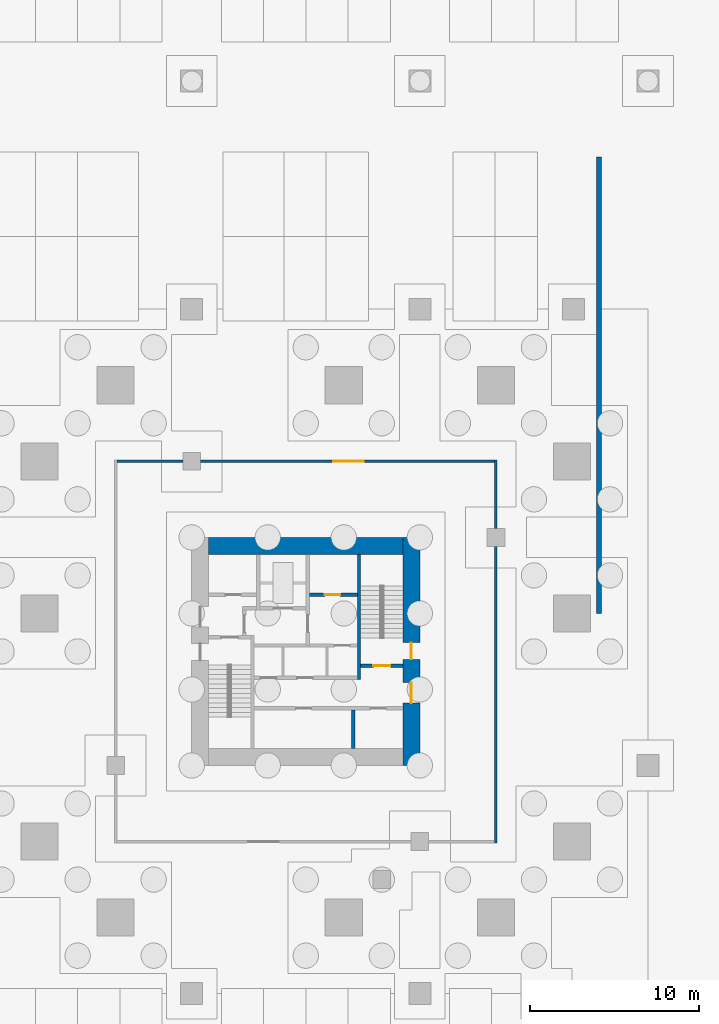
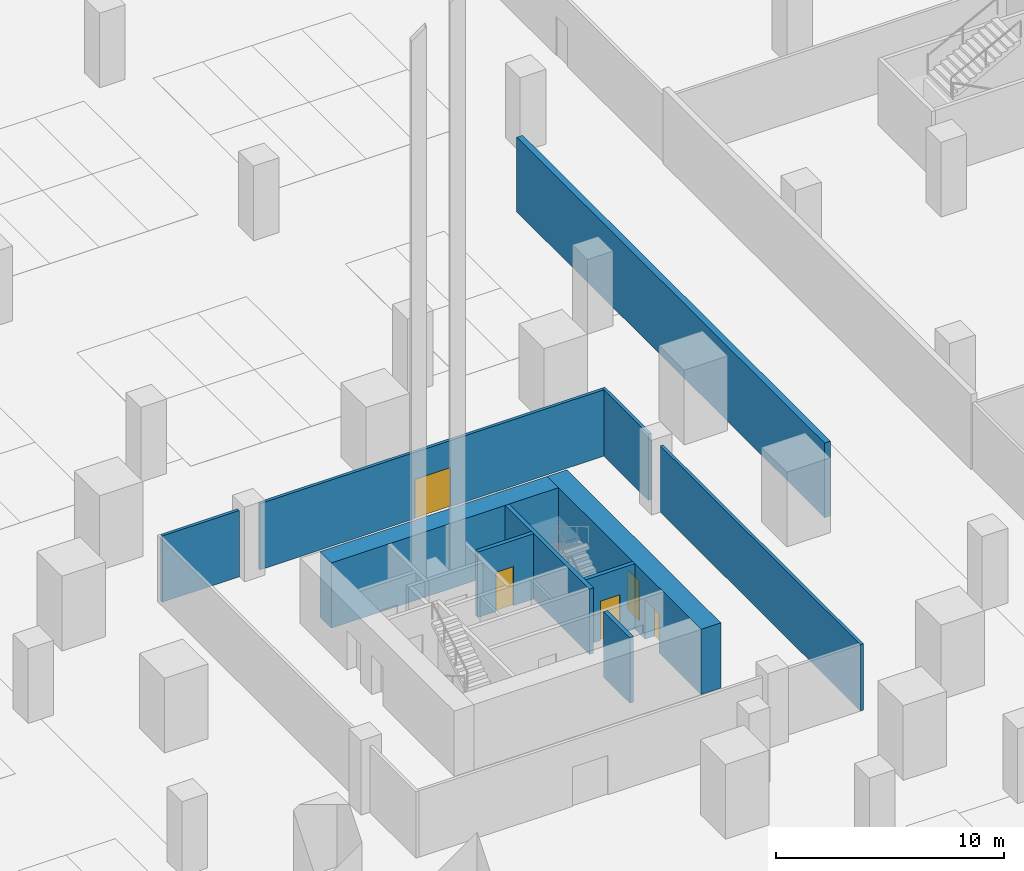
# One storey, part 10 of 40: 11 walls, 5 doors, 5 openings.
"""IFC4 building model written with IfcOpenShell, lengths in metres."""

from ifc_helpers import new_model, si_unit, direction, frame, frame_2d, origin, place, context, subcontext, project, spatial, rectangle, extrude, material, layer, layer_set, type_object, element, fill, save


model = new_model("IFC4")

# Units and contexts
model_context = context("Model", 3, precision=1e-05, world=origin(), true_north=direction((0.0, 1.0)))
body_context = subcontext(model_context, "Body", "Model", "MODEL_VIEW")
ifc_project = project(units=[si_unit("LENGTHUNIT", "METRE"), si_unit("AREAUNIT", "SQUARE_METRE"), si_unit("VOLUMEUNIT", "CUBIC_METRE"), si_unit("PLANEANGLEUNIT", "RADIAN"), si_unit("MASSUNIT", "GRAM", prefix="KILO")], contexts=[model_context])

# Site, building, storey
site_placement = place(None, origin())
site = spatial("IfcSite", under=ifc_project, at=site_placement, CompositionType="ELEMENT")
building_placement = place(site_placement, origin())
building = spatial("IfcBuilding", under=site, at=building_placement, Name="Altepetl Exchange Towers", CompositionType="ELEMENT")
storey_placement = place(building_placement, frame((0.0, 0.0, -8.0)))
storey = spatial("IfcBuildingStorey", under=building, at=storey_placement, Name="B2 Basement parking", CompositionType="ELEMENT", Elevation=-8.0)

# Wall, openings, doors
ifc_material_1 = material(Name="Concrete C70/85", Category="concrete")
ifc_layer_1 = layer(ifc_material_1, 1.0)
ifc_layer_set_1 = layer_set([ifc_layer_1], Name="Concrete C70/85")
wall_type_1 = type_object("IfcWallType", Name="Core wall 1000 reinforced concrete", PredefinedType="SHEAR", material=ifc_layer_set_1)
wall_1_placement = place(storey_placement, frame((116.5, 36.0, 0.0), z_axis=(0.0, 0.0, 1.0), x_axis=(0.0, 1.0, 0.0)))
wall_1 = element("IfcWall", 1, at=wall_1_placement, inside=storey, type_object=wall_type_1, Name="wall:B:B2:K-coreE", PredefinedType="SHEAR", context=body_context, shape_type="SweptSolid", body=[
    extrude(rectangle(XDim=13.5, YDim=1.0, at=frame_2d((6.75, 0.0))), origin(), (0.0, 0.0, 1.0), 3.5),
])
opening_1_placement = place(wall_1_placement, frame((3.699951171875, 0.0, 0.0)))
opening_1 = element("IfcOpeningElement", 2, at=opening_1_placement, cuts=wall_1, Name="Opening B2.B61", PredefinedType="OPENING", context=body_context, shape_type="SweptSolid", body=[
    extrude(rectangle(XDim=1.199951171875, YDim=2.10009765625, at=frame_2d((0.60009765625, 1.050048828125))), frame((0.0, 0.510009765625, 0.0), z_axis=(0.0, -1.0, 0.0), x_axis=(1.0, 0.0, 0.0)), (0.0, 0.0, 1.0), 1.02001953125),
])
opening_2_placement = place(wall_1_placement, frame((6.27490234375, 0.0, 0.0)))
opening_2 = element("IfcOpeningElement", 3, at=opening_2_placement, cuts=wall_1, Name="Opening B2.B65", PredefinedType="OPENING", context=body_context, shape_type="SweptSolid", body=[
    extrude(rectangle(XDim=1.0, YDim=2.10009765625, at=frame_2d((0.5, 1.050048828125))), frame((0.0, 0.510009765625, 0.0), z_axis=(0.0, -1.0, 0.0), x_axis=(1.0, 0.0, 0.0)), (0.0, 0.0, 1.0), 1.02001953125),
])
ifc_material_2 = material(Name="Steel and timber fire door", Category="steel")
door_type_1 = type_object("IfcDoorType", Name="Fire door 1000 x 2100 stair and lobby", OperationType="SINGLE_SWING_LEFT", PredefinedType="DOOR", material=ifc_material_2)
door_1_placement = place(opening_2_placement, origin())
door_1 = element("IfcDoor", 4, at=door_1_placement, inside=storey, type_object=door_type_1, Name="door:B:B2:K-dS2x", OperationType="SINGLE_SWING_LEFT", OverallHeight=2.10009765625, OverallWidth=1.0, PredefinedType="DOOR", context=body_context, shape_type="SweptSolid", body=[
    extrude(rectangle(XDim=1.0, YDim=2.10009765625, at=frame_2d((0.5, 1.050048828125))), frame((0.0, 0.02490234375, 0.0), z_axis=(0.0, -1.0, 0.0), x_axis=(1.0, 0.0, 0.0)), (0.0, 0.0, 1.0), 0.050048828125),
])
fill(opening_2, door_1)
door_type_2 = type_object("IfcDoorType", Name="Fire door 1200 x 2100 lobby entry", OperationType="SINGLE_SWING_LEFT", PredefinedType="DOOR", material=ifc_material_2)
door_2_placement = place(opening_1_placement, origin())
door_2 = element("IfcDoor", 5, at=door_2_placement, inside=storey, type_object=door_type_2, Name="door:B:B2:K-dLSE", OperationType="SINGLE_SWING_RIGHT", OverallHeight=2.10009765625, OverallWidth=1.199951171875, PredefinedType="DOOR", context=body_context, shape_type="SweptSolid", body=[
    extrude(rectangle(XDim=1.199951171875, YDim=2.10009765625, at=frame_2d((0.60009765625, 1.050048828125))), frame((0.0, 0.02490234375, 0.0), z_axis=(0.0, -1.0, 0.0), x_axis=(1.0, 0.0, 0.0)), (0.0, 0.0, 1.0), 0.050048828125),
])
fill(opening_1, door_2)

# Walls
wall_2_placement = place(storey_placement, frame((104.5, 49.0, 0.0)))
element("IfcWall", 6, at=wall_2_placement, inside=storey, type_object=wall_type_1, Name="wall:B:B2:K-coreN", PredefinedType="SHEAR", context=body_context, shape_type="SweptSolid", body=[
    extrude(rectangle(XDim=11.5, YDim=1.0, at=frame_2d((5.75, 0.0))), origin(), (0.0, 0.0, 1.0), 3.5),
])
ifc_material_3 = material(Name="Gypsum board on steel studs", Category="steel")
ifc_layer_2 = layer(ifc_material_3, 0.14990234375)
ifc_layer_set_2 = layer_set([ifc_layer_2], Name="Gypsum board on steel studs")
wall_type_2 = type_object("IfcWallType", Name="Podium partition 150", PredefinedType="PARTITIONING", material=ifc_layer_set_2)
wall_3_placement = place(storey_placement, frame((121.5, 31.425048828125, 0.0), z_axis=(0.0, 0.0, 1.0), x_axis=(0.0, 1.0, 0.0)))
element("IfcWall", 7, at=wall_3_placement, inside=storey, type_object=wall_type_2, Name="wall:P:B2:P042", PredefinedType="PARTITIONING", context=body_context, shape_type="SweptSolid", body=[
    extrude(rectangle(XDim=17.554931640625, YDim=0.14990234375, at=frame_2d((8.77734375, 0.0))), origin(), (0.0, 0.0, 1.0), 3.550048828125),
])
wall_4_placement = place(storey_placement, frame((121.5, 50.02001953125, 0.0), z_axis=(0.0, 0.0, 1.0), x_axis=(0.0, 1.0, 0.0)))
element("IfcWall", 8, at=wall_4_placement, inside=storey, type_object=wall_type_2, Name="wall:P:B2:P043", PredefinedType="PARTITIONING", context=body_context, shape_type="SweptSolid", body=[
    extrude(rectangle(XDim=4.054931640625, YDim=0.14990234375, at=frame_2d((2.02734375, 0.0))), origin(), (0.0, 0.0, 1.0), 3.550048828125),
])
wall_5_placement = place(storey_placement, frame((99.074951171875, 54.0, 0.0)))
element("IfcWall", 9, at=wall_5_placement, inside=storey, type_object=wall_type_2, Name="wall:P:B2:P046", PredefinedType="PARTITIONING", context=body_context, shape_type="SweptSolid", body=[
    extrude(rectangle(XDim=3.905029296875, YDim=0.14990234375, at=frame_2d((1.95263671875, 0.0))), origin(), (0.0, 0.0, 1.0), 3.550048828125),
])

# Wall, opening, door
wall_6_placement = place(storey_placement, frame((104.02001953125, 54.0, 0.0)))
wall_6 = element("IfcWall", 10, at=wall_6_placement, inside=storey, type_object=wall_type_2, Name="wall:P:B2:P047", PredefinedType="PARTITIONING", context=body_context, shape_type="SweptSolid", body=[
    extrude(rectangle(XDim=17.405029296875, YDim=0.14990234375, at=frame_2d((8.70263671875, 0.0))), origin(), (0.0, 0.0, 1.0), 3.550048828125),
])
opening_3_placement = place(wall_6_placement, frame((7.85009765625, 0.0, 0.0)))
opening_3 = element("IfcOpeningElement", 11, at=opening_3_placement, cuts=wall_6, Name="Opening B2.P023", PredefinedType="OPENING", context=body_context, shape_type="SweptSolid", body=[
    extrude(rectangle(XDim=1.800048828125, YDim=2.10009765625, at=frame_2d((0.89990234375, 1.050048828125))), frame((0.0, 0.0849609375, 0.0), z_axis=(0.0, -1.0, 0.0), x_axis=(1.0, 0.0, 0.0)), (0.0, 0.0, 1.0), 0.169921875),
])
ifc_material_4 = material(Name="Glazed aluminium and steel", Category="steel")
door_type_3 = type_object("IfcDoorType", Name="Podium fire door 1800 x 2100 double leaf", OperationType="DOUBLE_DOOR_SINGLE_SWING", PredefinedType="DOOR", material=ifc_material_4)
door_3_placement = place(opening_3_placement, frame((1.800048828125, 0.0, 0.0), x_axis=(-1.0, 0.0, 0.0)))
door_3 = element("IfcDoor", 12, at=door_3_placement, inside=storey, type_object=door_type_3, Name="door:P:B2:023", OperationType="DOUBLE_DOOR_SINGLE_SWING", OverallHeight=2.10009765625, OverallWidth=1.800048828125, PredefinedType="DOOR", context=body_context, shape_type="SweptSolid", body=[
    extrude(rectangle(XDim=1.800048828125, YDim=2.10009765625, at=frame_2d((0.89990234375, 1.050048828125))), frame((0.0, 0.02490234375, 0.0), z_axis=(0.0, -1.0, 0.0), x_axis=(1.0, 0.0, 0.0)), (0.0, 0.0, 1.0), 0.050048828125),
])
fill(opening_3, door_3)

# Walls
ifc_material_5 = material(Name="Reinforced concrete C35/45", Category="concrete")
ifc_layer_3 = layer(ifc_material_5, 0.300048828125)
ifc_layer_set_3 = layer_set([ifc_layer_3], Name="Reinforced concrete C35/45")
wall_type_3 = type_object("IfcWallType", Name="Ramp retaining wall 300", PredefinedType="SOLIDWALL", material=ifc_layer_set_3)
wall_7_placement = place(storey_placement, frame((127.60009765625, 45.0, 0.0), z_axis=(0.0, 0.0, 1.0), x_axis=(0.0, 1.0, 0.0)))
element("IfcWall", 13, at=wall_7_placement, inside=storey, type_object=wall_type_3, Name="wall:P:B2:rampR2W", PredefinedType="SOLIDWALL", context=body_context, shape_type="SweptSolid", body=[
    extrude(rectangle(XDim=27.0, YDim=0.300048828125, at=frame_2d((13.5, 0.0))), origin(), (0.0, 0.0, 1.0), 4.0),
])
ifc_material_6 = material(Name="Concrete C40/50", Category="concrete")
ifc_layer_4 = layer(ifc_material_6, 0.199951171875)
ifc_layer_set_4 = layer_set([ifc_layer_4], Name="Concrete C40/50")
wall_type_4 = type_object("IfcWallType", Name="Shaft wall 200 reinforced concrete", PredefinedType="SHEAR", material=ifc_layer_set_4)
wall_8_placement = place(storey_placement, frame((113.066650390625, 37.0, 0.0), z_axis=(0.0, 0.0, 1.0), x_axis=(0.0, 1.0, 0.0)))
element("IfcWall", 14, at=wall_8_placement, inside=storey, type_object=wall_type_4, Name="wall:B:B2:K-divS2", PredefinedType="SHEAR", context=body_context, shape_type="SweptSolid", body=[
    extrude(rectangle(XDim=2.300048828125, YDim=0.199951171875, at=frame_2d((1.14990234375, 0.0))), origin(), (0.0, 0.0, 1.0), 3.5),
])

# Wall, opening, door
wall_9_placement = place(storey_placement, frame((110.466796875, 46.10009765625, 0.0)))
wall_9 = element("IfcWall", 15, at=wall_9_placement, inside=storey, type_object=wall_type_4, Name="wall:B:B2:K-frontNb", PredefinedType="SHEAR", context=body_context, shape_type="SweptSolid", body=[
    extrude(rectangle(XDim=2.833251953125, YDim=0.199951171875, at=frame_2d((1.41650390625, 0.0))), origin(), (0.0, 0.0, 1.0), 3.5),
])
opening_4_placement = place(wall_9_placement, frame((0.91650390625, 0.0, 0.0)))
opening_4 = element("IfcOpeningElement", 16, at=opening_4_placement, cuts=wall_9, Name="Opening B2.B69", PredefinedType="OPENING", context=body_context, shape_type="SweptSolid", body=[
    extrude(rectangle(XDim=0.89990234375, YDim=2.10009765625, at=frame_2d((0.449951171875, 1.050048828125))), frame((0.0, 0.10986328125, 0.0), z_axis=(0.0, -1.0, 0.0), x_axis=(1.0, 0.0, 0.0)), (0.0, 0.0, 1.0), 0.219970703125),
])
door_type_4 = type_object("IfcDoorType", Name="Fire door 900 x 2100 service room", OperationType="SINGLE_SWING_LEFT", PredefinedType="DOOR", material=ifc_material_2)
door_4_placement = place(opening_4_placement, origin())
door_4 = element("IfcDoor", 17, at=door_4_placement, inside=storey, type_object=door_type_4, Name="door:B:B2:K-dslotN2", OperationType="SINGLE_SWING_RIGHT", OverallHeight=2.10009765625, OverallWidth=0.89990234375, PredefinedType="DOOR", context=body_context, shape_type="SweptSolid", body=[
    extrude(rectangle(XDim=0.89990234375, YDim=2.10009765625, at=frame_2d((0.449951171875, 1.050048828125))), frame((0.0, 0.02490234375, 0.0), z_axis=(0.0, -1.0, 0.0), x_axis=(1.0, 0.0, 0.0)), (0.0, 0.0, 1.0), 0.050048828125),
])
fill(opening_4, door_4)

ifc_layer_5 = layer(ifc_material_6, 0.199951171875)
ifc_layer_set_5 = layer_set([ifc_layer_5], Name="Concrete C40/50")
wall_type_5 = type_object("IfcWallType", Name="Stair wall 200 reinforced concrete", PredefinedType="SHEAR", material=ifc_layer_set_5)
wall_10_placement = place(storey_placement, frame((113.5, 41.89990234375, 0.0)))
wall_10 = element("IfcWall", 18, at=wall_10_placement, inside=storey, type_object=wall_type_5, Name="wall:B:B2:K-stS2S", PredefinedType="SHEAR", context=body_context, shape_type="SweptSolid", body=[
    extrude(rectangle(XDim=2.5, YDim=0.199951171875, at=frame_2d((1.25, 0.0))), origin(), (0.0, 0.0, 1.0), 3.5),
])
opening_5_placement = place(wall_10_placement, frame((0.75, 0.0, 0.0)))
opening_5 = element("IfcOpeningElement", 19, at=opening_5_placement, cuts=wall_10, Name="Opening B2.B64", PredefinedType="OPENING", context=body_context, shape_type="SweptSolid", body=[
    extrude(rectangle(XDim=1.0, YDim=2.10009765625, at=frame_2d((0.5, 1.050048828125))), frame((0.0, 0.10986328125, 0.0), z_axis=(0.0, -1.0, 0.0), x_axis=(1.0, 0.0, 0.0)), (0.0, 0.0, 1.0), 0.219970703125),
])
door_5_placement = place(opening_5_placement, origin())
door_5 = element("IfcDoor", 20, at=door_5_placement, inside=storey, type_object=door_type_1, Name="door:B:B2:K-dS2in", OperationType="SINGLE_SWING_RIGHT", OverallHeight=2.10009765625, OverallWidth=1.0, PredefinedType="DOOR", context=body_context, shape_type="SweptSolid", body=[
    extrude(rectangle(XDim=1.0, YDim=2.10009765625, at=frame_2d((0.5, 1.050048828125))), frame((0.0, 0.02490234375, 0.0), z_axis=(0.0, -1.0, 0.0), x_axis=(1.0, 0.0, 0.0)), (0.0, 0.0, 1.0), 0.050048828125),
])
fill(opening_5, door_5)

# Wall
wall_11_placement = place(storey_placement, frame((113.39990234375, 41.10009765625, 0.0), z_axis=(0.0, 0.0, 1.0), x_axis=(0.0, 1.0, 0.0)))
element("IfcWall", 21, at=wall_11_placement, inside=storey, type_object=wall_type_5, Name="wall:B:B2:K-stS2W", PredefinedType="SHEAR", context=body_context, shape_type="SweptSolid", body=[
    extrude(rectangle(XDim=7.39990234375, YDim=0.199951171875, at=frame_2d((3.699951171875, 0.0))), origin(), (0.0, 0.0, 1.0), 3.5),
])

save(model, "model.ifc")
